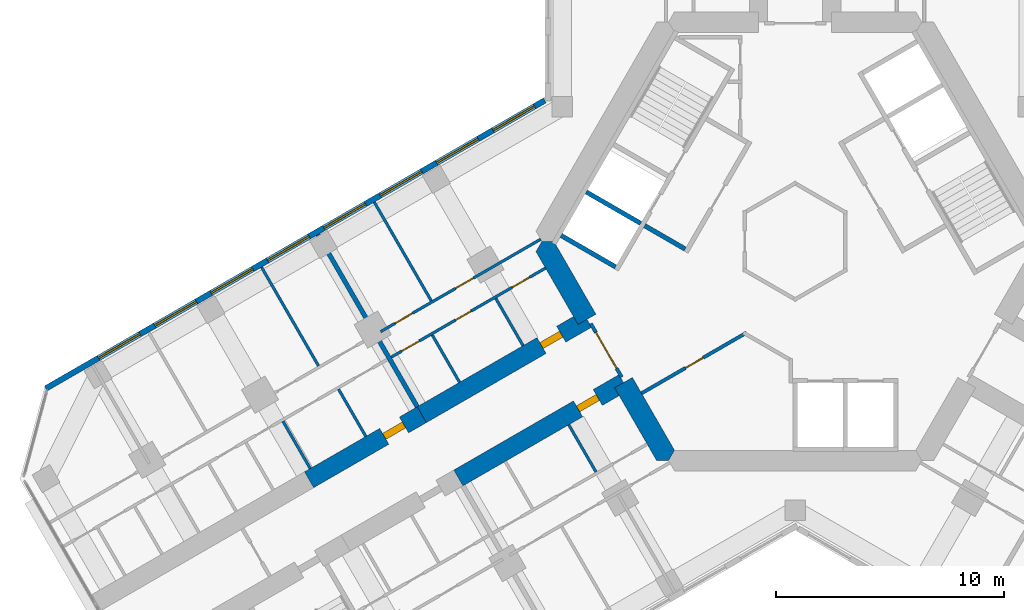
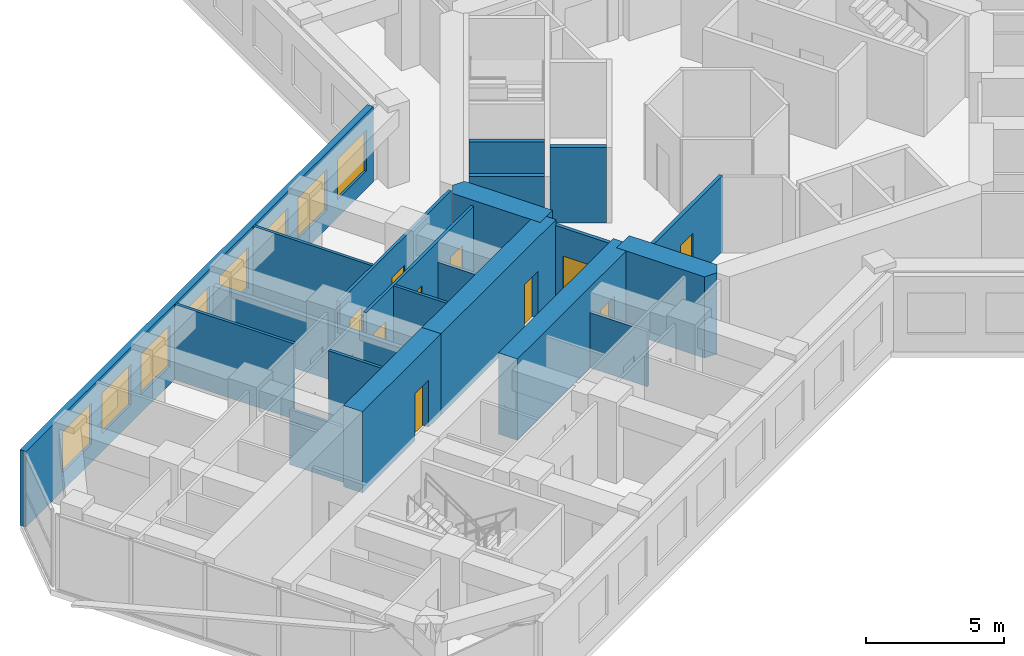
# One storey, part 12 of 19: 21 walls, 10 doors, 8 windows, 18 openings.
"""IFC4 building model written with IfcOpenShell, lengths in metres."""

from ifc_helpers import new_model, si_unit, direction, frame, frame_2d, origin, place, context, subcontext, project, spatial, polyline, rectangle, outline, extrude, material, layer, layer_set, type_object, element, fill, save


model = new_model("IFC4")

# Units and contexts
model_context = context("Model", 3, precision=1e-05, world=origin(), true_north=direction((0.0, 1.0)))
body_context = subcontext(model_context, "Body", "Model", "MODEL_VIEW")
ifc_project = project(units=[si_unit("LENGTHUNIT", "METRE"), si_unit("AREAUNIT", "SQUARE_METRE"), si_unit("VOLUMEUNIT", "CUBIC_METRE"), si_unit("PLANEANGLEUNIT", "RADIAN"), si_unit("MASSUNIT", "GRAM", prefix="KILO")], contexts=[model_context])

# Site, building, storey
site_placement = place(None, origin())
site = spatial("IfcSite", under=ifc_project, at=site_placement, CompositionType="ELEMENT")
building_placement = place(site_placement, origin())
building = spatial("IfcBuilding", under=site, at=building_placement, Name="Kosmar Iwan School Tower", CompositionType="ELEMENT")
storey_placement = place(building_placement, frame((0.0, 0.0, 161.60009765625)))
storey = spatial("IfcBuildingStorey", under=building, at=storey_placement, Name="L40", CompositionType="ELEMENT", Elevation=161.60009765625)

# Wall, opening, door
ifc_material_1 = material(Name="Gypsum board on steel studs, fire-rated", Category="steel")
ifc_layer_1 = layer(ifc_material_1, 0.14990234375)
ifc_layer_set_1 = layer_set([ifc_layer_1], Name="Core room partition 150")
wall_type_1 = type_object("IfcWallType", Name="Core room partition 150", PredefinedType="PARTITIONING", material=ifc_layer_set_1)
wall_1_placement = place(storey_placement, frame((-6.728515625, -6.656005859375, 0.0), z_axis=(0.0, 0.0, 1.0), x_axis=(0.866022320763, 0.500005339912, 0.0)))
wall_1 = element("IfcWall", 1, at=wall_1_placement, inside=storey, type_object=wall_type_1, Name="Core room partition L40-CW5", PredefinedType="PARTITIONING", context=body_context, shape_type="SweptSolid", body=[
    extrude(rectangle(XDim=5.30419921875, YDim=0.14990234375, at=frame_2d((2.652099609375, 0.0))), origin(), (0.0, 0.0, 1.0), 3.349853515625),
])
opening_1_placement = place(wall_1_placement, frame((2.221923828125, 0.0, 0.0)))
opening_1 = element("IfcOpeningElement", 2, at=opening_1_placement, cuts=wall_1, Name="Opening D14", PredefinedType="OPENING", context=body_context, shape_type="SweptSolid", body=[
    extrude(rectangle(XDim=0.89990234375, YDim=2.10009765625, at=frame_2d((0.449951171875, 1.050048828125))), frame((0.0, 0.0869140625, 0.0), z_axis=(0.0, -1.0, 0.0), x_axis=(1.0, 0.0, 0.0)), (0.0, 0.0, 1.0), 0.173828125),
])
ifc_material_2 = material(Name="Timber fire door in steel frame", Category="steel")
door_type_1 = type_object("IfcDoorType", Name="Core room door 900x2100", OperationType="SINGLE_SWING_LEFT", PredefinedType="DOOR", material=ifc_material_2)
door_1_placement = place(opening_1_placement, origin())
door_1 = element("IfcDoor", 3, at=door_1_placement, inside=storey, type_object=door_type_1, Name="Residents' pantry door L40 3", OperationType="SINGLE_SWING_LEFT", OverallHeight=2.10009765625, OverallWidth=0.89990234375, PredefinedType="DOOR", context=body_context, shape_type="SweptSolid", body=[
    extrude(rectangle(XDim=0.89990234375, YDim=2.10009765625, at=frame_2d((0.449951171875, 1.050048828125))), frame((0.0, 0.02490234375, 0.0), z_axis=(0.0, -1.0, 0.0), x_axis=(1.0, 0.0, 0.0)), (0.0, 0.0, 1.0), 0.050048828125),
])
fill(opening_1, door_1)

# Walls
ifc_material_3 = material(Name="Concrete C50/60", Category="concrete")
ifc_layer_2 = layer(ifc_material_3, 0.89990234375)
ifc_layer_set_2 = layer_set([ifc_layer_2], Name="Core wall 900")
wall_type_2 = type_object("IfcWallType", Name="Core wall 900", PredefinedType="SHEAR", material=ifc_layer_set_2)
wall_2_placement = place(storey_placement, origin())
element("IfcWall", 4, at=wall_2_placement, inside=storey, type_object=wall_type_2, Name="Core wall F210a", PredefinedType="SHEAR", context=body_context, shape_type="SweptSolid", body=[
    extrude(outline(polyline([(-9.503662109375, -3.639404296875), (-8.72412109375, -3.189453125), (-10.5654296875, 0.0), (-11.085205078125, 0.0), (-11.344970703125, -0.449951171875), (-9.503662109375, -3.639404296875)])), origin(), (0.0, 0.0, 1.0), 3.599853515625),
])
wall_3_placement = place(storey_placement, origin())
element("IfcWall", 5, at=wall_3_placement, inside=storey, type_object=wall_type_2, Name="Core wall F210b", PredefinedType="SHEAR", context=body_context, shape_type="SweptSolid", body=[
    extrude(outline(polyline([(-6.062255859375, -9.60009765625), (-5.54248046875, -9.60009765625), (-5.28271484375, -9.14990234375), (-7.1240234375, -5.960693359375), (-7.903564453125, -6.41064453125), (-6.062255859375, -9.60009765625)])), origin(), (0.0, 0.0, 1.0), 3.599853515625),
])

# Wall, opening, door
ifc_material_4 = material(Name="Concrete C50/60", Category="concrete")
ifc_layer_3 = layer(ifc_material_4, 0.800048828125)
ifc_layer_set_3 = layer_set([ifc_layer_3], Name="Corridor buttress wall 800")
wall_type_3 = type_object("IfcWallType", Name="Corridor buttress wall 800", PredefinedType="SHEAR", material=ifc_layer_set_3)
wall_4_placement = place(storey_placement, frame((-7.513916015625, -6.185546875, 0.0), z_axis=(0.0, 0.0, 1.0), x_axis=(-0.866019549707, -0.500010139422, 0.0)))
wall_4 = element("IfcWall", 6, at=wall_4_placement, inside=storey, type_object=wall_type_3, Name="Corridor wall BL", PredefinedType="SHEAR", context=body_context, shape_type="SweptSolid", body=[
    extrude(rectangle(XDim=8.349853515625, YDim=0.800048828125, at=frame_2d((4.1748046875, 0.0))), origin(), (0.0, 0.0, 1.0), 3.599853515625),
])
opening_2_placement = place(wall_4_placement, frame((1.300048828125, 0.0, 0.0)))
opening_2 = element("IfcOpeningElement", 7, at=opening_2_placement, cuts=wall_4, Name="Opening D1", PredefinedType="OPENING", context=body_context, shape_type="SweptSolid", body=[
    extrude(rectangle(XDim=1.0, YDim=2.10009765625, at=frame_2d((0.5, 1.050048828125))), frame((0.0, 0.412109375, 0.0), z_axis=(0.0, -1.0, 0.0), x_axis=(1.0, 0.0, 0.0)), (0.0, 0.0, 1.0), 0.823974609375),
])
ifc_material_5 = material(Name="Timber fire door in steel frame", Category="steel")
door_type_2 = type_object("IfcDoorType", Name="Flat entrance door 1000x2100", OperationType="SINGLE_SWING_LEFT", PredefinedType="DOOR", material=ifc_material_5)
door_2_placement = place(opening_2_placement, origin())
door_2 = element("IfcDoor", 8, at=door_2_placement, inside=storey, type_object=door_type_2, Name="Flat L40-BL1 entrance door", OperationType="SINGLE_SWING_RIGHT", OverallHeight=2.10009765625, OverallWidth=1.0, PredefinedType="DOOR", context=body_context, shape_type="SweptSolid", body=[
    extrude(rectangle(XDim=1.0, YDim=2.10009765625, at=frame_2d((0.5, 1.050048828125))), frame((0.0, 0.14990234375, 0.0), z_axis=(0.0, -1.0, 0.0), x_axis=(1.0, 0.0, 0.0)), (0.0, 0.0, 1.0), 0.300048828125),
])
fill(opening_2, door_2)

wall_5_placement = place(storey_placement, frame((-9.11376953125, -3.414306640625, 0.0), z_axis=(0.0, 0.0, 1.0), x_axis=(-0.866026859388, -0.499997478812, 0.0)))
wall_5 = element("IfcWall", 9, at=wall_5_placement, inside=storey, type_object=wall_type_3, Name="Corridor wall BR", PredefinedType="SHEAR", context=body_context, shape_type="SweptSolid", body=[
    extrude(rectangle(XDim=8.35009765625, YDim=0.800048828125, at=frame_2d((4.175048828125, 0.0))), origin(), (0.0, 0.0, 1.0), 3.599853515625),
])
opening_3_placement = place(wall_5_placement, frame((1.300048828125, 0.0, 0.0)))
opening_3 = element("IfcOpeningElement", 10, at=opening_3_placement, cuts=wall_5, Name="Opening D1", PredefinedType="OPENING", context=body_context, shape_type="SweptSolid", body=[
    extrude(rectangle(XDim=1.0, YDim=2.10009765625, at=frame_2d((0.5, 1.050048828125))), frame((0.0, 0.412109375, 0.0), z_axis=(0.0, -1.0, 0.0), x_axis=(1.0, 0.0, 0.0)), (0.0, 0.0, 1.0), 0.823974609375),
])
door_3_placement = place(opening_3_placement, origin())
door_3 = element("IfcDoor", 11, at=door_3_placement, inside=storey, type_object=door_type_2, Name="Flat L40-BR1 entrance door", OperationType="SINGLE_SWING_LEFT", OverallHeight=2.10009765625, OverallWidth=1.0, PredefinedType="DOOR", context=body_context, shape_type="SweptSolid", body=[
    extrude(rectangle(XDim=1.0, YDim=2.10009765625, at=frame_2d((0.5, 1.050048828125))), frame((0.0, 0.14990234375, 0.0), z_axis=(0.0, -1.0, 0.0), x_axis=(1.0, 0.0, 0.0)), (0.0, 0.0, 1.0), 0.300048828125),
])
fill(opening_3, door_3)

wall_6_placement = place(storey_placement, frame((-16.34521484375, -7.58935546875, 0.0), z_axis=(0.0, 0.0, 1.0), x_axis=(-0.866015111908, -0.50001782563, 0.0)))
wall_6 = element("IfcWall", 12, at=wall_6_placement, inside=storey, type_object=wall_type_3, Name="Corridor wall BR bay 2", PredefinedType="SHEAR", context=body_context, shape_type="SweptSolid", body=[
    extrude(rectangle(XDim=5.699951171875, YDim=0.800048828125, at=frame_2d((2.85009765625, 0.0))), origin(), (0.0, 0.0, 1.0), 3.599853515625),
])
opening_4_placement = place(wall_6_placement, frame((0.89990234375, 0.0, 0.0)))
opening_4 = element("IfcOpeningElement", 13, at=opening_4_placement, cuts=wall_6, Name="Opening D1", PredefinedType="OPENING", context=body_context, shape_type="SweptSolid", body=[
    extrude(rectangle(XDim=1.0, YDim=2.10009765625, at=frame_2d((0.5, 1.050048828125))), frame((0.0, 0.412109375, 0.0), z_axis=(0.0, -1.0, 0.0), x_axis=(1.0, 0.0, 0.0)), (0.0, 0.0, 1.0), 0.823974609375),
])
door_4_placement = place(opening_4_placement, origin())
door_4 = element("IfcDoor", 14, at=door_4_placement, inside=storey, type_object=door_type_2, Name="Flat L40-BR2 entrance door", OperationType="SINGLE_SWING_LEFT", OverallHeight=2.10009765625, OverallWidth=1.0, PredefinedType="DOOR", context=body_context, shape_type="SweptSolid", body=[
    extrude(rectangle(XDim=1.0, YDim=2.10009765625, at=frame_2d((0.5, 1.050048828125))), frame((0.0, 0.14990234375, 0.0), z_axis=(0.0, -1.0, 0.0), x_axis=(1.0, 0.0, 0.0)), (0.0, 0.0, 1.0), 0.300048828125),
])
fill(opening_4, door_4)

ifc_material_6 = material(Name="Steel framed glazed screen", Category="steel")
ifc_layer_4 = layer(ifc_material_6, 0.14990234375)
ifc_layer_set_4 = layer_set([ifc_layer_4], Name="Corridor screen wall 150")
wall_type_4 = type_object("IfcWallType", Name="Corridor screen wall 150", PredefinedType="PARTITIONING", material=ifc_layer_set_4)
wall_7_placement = place(storey_placement, frame((-8.945556640625, -3.60595703125, 0.0), z_axis=(0.0, 0.0, 1.0), x_axis=(0.500048589285, -0.86599734893, 0.0)))
wall_7 = element("IfcWall", 15, at=wall_7_placement, inside=storey, type_object=wall_type_4, Name="Corridor screen B L40", PredefinedType="PARTITIONING", context=body_context, shape_type="SweptSolid", body=[
    extrude(rectangle(XDim=2.699951171875, YDim=0.14990234375, at=frame_2d((1.35009765625, 0.0))), origin(), (0.0, 0.0, 1.0), 3.349853515625),
])
opening_5_placement = place(wall_7_placement, frame((0.449951171875, 0.0, 0.0)))
opening_5 = element("IfcOpeningElement", 16, at=opening_5_placement, cuts=wall_7, Name="Opening D9", PredefinedType="OPENING", context=body_context, shape_type="SweptSolid", body=[
    extrude(rectangle(XDim=1.800048828125, YDim=2.10009765625, at=frame_2d((0.89990234375, 1.050048828125))), frame((0.0, 0.0869140625, 0.0), z_axis=(0.0, -1.0, 0.0), x_axis=(1.0, 0.0, 0.0)), (0.0, 0.0, 1.0), 0.173828125),
])
ifc_material_7 = material(Name="Steel framed glazed smoke door", Category="steel")
door_type_3 = type_object("IfcDoorType", Name="Corridor smoke door pair 1800x2100", OperationType="DOUBLE_DOOR_DOUBLE_SWING", PredefinedType="DOOR", material=ifc_material_7)
door_5_placement = place(opening_5_placement, origin())
door_5 = element("IfcDoor", 17, at=door_5_placement, inside=storey, type_object=door_type_3, Name="Corridor doors B L40", OperationType="DOUBLE_DOOR_DOUBLE_SWING", OverallHeight=2.10009765625, OverallWidth=1.800048828125, PredefinedType="DOOR", context=body_context, shape_type="SweptSolid", body=[
    extrude(rectangle(XDim=1.800048828125, YDim=2.10009765625, at=frame_2d((0.89990234375, 1.050048828125))), frame((0.0, 0.02490234375, 0.0), z_axis=(0.0, -1.0, 0.0), x_axis=(1.0, 0.0, 0.0)), (0.0, 0.0, 1.0), 0.050048828125),
])
fill(opening_5, door_5)

# Wall
ifc_material_8 = material(Name="Gypsum board on steel studs", Category="steel")
ifc_layer_5 = layer(ifc_material_8, 0.1201171875)
ifc_layer_set_5 = layer_set([ifc_layer_5], Name="Dwelling partition 120")
wall_type_5 = type_object("IfcWallType", Name="Dwelling partition 120", PredefinedType="PARTITIONING", material=ifc_layer_set_5)
wall_8_placement = place(storey_placement, frame((-9.911865234375, -8.031982421875, 0.0), z_axis=(0.0, 0.0, 1.0), x_axis=(0.500017192868, -0.86601547725, 0.0)))
element("IfcWall", 18, at=wall_8_placement, inside=storey, type_object=wall_type_5, Name="Partition L40-BL1-Y1", PredefinedType="PARTITIONING", context=body_context, shape_type="SweptSolid", body=[
    extrude(rectangle(XDim=2.39013671875, YDim=0.1201171875, at=frame_2d((1.195068359375, 0.0))), origin(), (0.0, 0.0, 1.0), 2.449951171875),
])

# Wall, openings, doors
wall_9_placement = place(storey_placement, frame((-10.928466796875, -1.171142578125, 0.0), z_axis=(0.0, 0.0, 1.0), x_axis=(-0.866021400173, -0.500006934395, 0.0)))
wall_9 = element("IfcWall", 19, at=wall_9_placement, inside=storey, type_object=wall_type_5, Name="Partition L40-BR1-W1", PredefinedType="PARTITIONING", context=body_context, shape_type="SweptSolid", body=[
    extrude(rectangle(XDim=7.80029296875, YDim=0.1201171875, at=frame_2d((3.900146484375, 0.0))), origin(), (0.0, 0.0, 1.0), 3.349853515625),
])
opening_6_placement = place(wall_9_placement, frame((0.800048828125, 0.0, 0.0)))
opening_6 = element("IfcOpeningElement", 20, at=opening_6_placement, cuts=wall_9, Name="Opening D2", PredefinedType="OPENING", context=body_context, shape_type="SweptSolid", body=[
    extrude(rectangle(XDim=0.89990234375, YDim=2.10009765625, at=frame_2d((0.449951171875, 1.050048828125))), frame((0.0, 0.072021484375, 0.0), z_axis=(0.0, -1.0, 0.0), x_axis=(1.0, 0.0, 0.0)), (0.0, 0.0, 1.0), 0.14404296875),
])
opening_7_placement = place(wall_9_placement, frame((3.755126953125, 0.0, 0.0)))
opening_7 = element("IfcOpeningElement", 21, at=opening_7_placement, cuts=wall_9, Name="Opening D3", PredefinedType="OPENING", context=body_context, shape_type="SweptSolid", body=[
    extrude(rectangle(XDim=0.800048828125, YDim=2.10009765625, at=frame_2d((0.39990234375, 1.050048828125))), frame((0.0, 0.072021484375, 0.0), z_axis=(0.0, -1.0, 0.0), x_axis=(1.0, 0.0, 0.0)), (0.0, 0.0, 1.0), 0.14404296875),
])
opening_8_placement = place(wall_9_placement, frame((6.380126953125, 0.0, 0.0)))
opening_8 = element("IfcOpeningElement", 22, at=opening_8_placement, cuts=wall_9, Name="Opening D2", PredefinedType="OPENING", context=body_context, shape_type="SweptSolid", body=[
    extrude(rectangle(XDim=0.89990234375, YDim=2.10009765625, at=frame_2d((0.449951171875, 1.050048828125))), frame((0.0, 0.072021484375, 0.0), z_axis=(0.0, -1.0, 0.0), x_axis=(1.0, 0.0, 0.0)), (0.0, 0.0, 1.0), 0.14404296875),
])
ifc_material_9 = material(Name="Timber door in timber frame", Category="wood")
door_type_4 = type_object("IfcDoorType", Name="Internal door 900x2100", OperationType="SINGLE_SWING_LEFT", PredefinedType="DOOR", material=ifc_material_9)
door_6_placement = place(opening_6_placement, origin())
door_6 = element("IfcDoor", 23, at=door_6_placement, inside=storey, type_object=door_type_4, Name="Entrance hall door L40-BR1-S1", OperationType="SINGLE_SWING_RIGHT", OverallHeight=2.10009765625, OverallWidth=0.89990234375, PredefinedType="DOOR", context=body_context, shape_type="SweptSolid", body=[
    extrude(rectangle(XDim=0.89990234375, YDim=2.10009765625, at=frame_2d((0.449951171875, 1.050048828125))), frame((0.0, 0.02490234375, 0.0), z_axis=(0.0, -1.0, 0.0), x_axis=(1.0, 0.0, 0.0)), (0.0, 0.0, 1.0), 0.050048828125),
])
fill(opening_6, door_6)
door_7_placement = place(opening_8_placement, origin())
door_7 = element("IfcDoor", 24, at=door_7_placement, inside=storey, type_object=door_type_4, Name="Pantry door L40-BR1-S3", OperationType="SINGLE_SWING_RIGHT", OverallHeight=2.10009765625, OverallWidth=0.89990234375, PredefinedType="DOOR", context=body_context, shape_type="SweptSolid", body=[
    extrude(rectangle(XDim=0.89990234375, YDim=2.10009765625, at=frame_2d((0.449951171875, 1.050048828125))), frame((0.0, 0.02490234375, 0.0), z_axis=(0.0, -1.0, 0.0), x_axis=(1.0, 0.0, 0.0)), (0.0, 0.0, 1.0), 0.050048828125),
])
fill(opening_8, door_7)
ifc_material_10 = material(Name="Timber door in timber frame", Category="wood")
door_type_5 = type_object("IfcDoorType", Name="Sanitary room door 800x2100", OperationType="SINGLE_SWING_LEFT", PredefinedType="DOOR", material=ifc_material_10)
door_8_placement = place(opening_7_placement, origin())
door_8 = element("IfcDoor", 25, at=door_8_placement, inside=storey, type_object=door_type_5, Name="Bathroom door L40-BR1-S2", OperationType="SINGLE_SWING_LEFT", OverallHeight=2.10009765625, OverallWidth=0.800048828125, PredefinedType="DOOR", context=body_context, shape_type="SweptSolid", body=[
    extrude(rectangle(XDim=0.800048828125, YDim=2.10009765625, at=frame_2d((0.39990234375, 1.050048828125))), frame((0.0, 0.02490234375, 0.0), z_axis=(0.0, -1.0, 0.0), x_axis=(1.0, 0.0, 0.0)), (0.0, 0.0, 1.0), 0.050048828125),
])
fill(opening_7, door_8)

wall_10_placement = place(storey_placement, frame((-11.138916015625, 0.093017578125, 0.0), z_axis=(0.0, 0.0, 1.0), x_axis=(-0.866017937352, -0.500012932018, 0.0)))
wall_10 = element("IfcWall", 26, at=wall_10_placement, inside=storey, type_object=wall_type_5, Name="Partition L40-BR1-W2", PredefinedType="PARTITIONING", context=body_context, shape_type="SweptSolid", body=[
    extrude(rectangle(XDim=8.099853515625, YDim=0.1201171875, at=frame_2d((4.0498046875, 0.0))), origin(), (0.0, 0.0, 1.0), 3.349853515625),
])
opening_9_placement = place(wall_10_placement, frame((3.39990234375, 0.0, 0.0)))
opening_9 = element("IfcOpeningElement", 27, at=opening_9_placement, cuts=wall_10, Name="Opening D2", PredefinedType="OPENING", context=body_context, shape_type="SweptSolid", body=[
    extrude(rectangle(XDim=0.89990234375, YDim=2.10009765625, at=frame_2d((0.449951171875, 1.050048828125))), frame((0.0, 0.072021484375, 0.0), z_axis=(0.0, -1.0, 0.0), x_axis=(1.0, 0.0, 0.0)), (0.0, 0.0, 1.0), 0.14404296875),
])
opening_10_placement = place(wall_10_placement, frame((6.47509765625, 0.0, 0.0)))
opening_10 = element("IfcOpeningElement", 28, at=opening_10_placement, cuts=wall_10, Name="Opening D2", PredefinedType="OPENING", context=body_context, shape_type="SweptSolid", body=[
    extrude(rectangle(XDim=0.89990234375, YDim=2.10009765625, at=frame_2d((0.449951171875, 1.050048828125))), frame((0.0, 0.072021484375, 0.0), z_axis=(0.0, -1.0, 0.0), x_axis=(1.0, 0.0, 0.0)), (0.0, 0.0, 1.0), 0.14404296875),
])
door_9_placement = place(opening_9_placement, origin())
door_9 = element("IfcDoor", 29, at=door_9_placement, inside=storey, type_object=door_type_4, Name="Living room and kitchen door L40-BR1-F1", OperationType="SINGLE_SWING_LEFT", OverallHeight=2.10009765625, OverallWidth=0.89990234375, PredefinedType="DOOR", context=body_context, shape_type="SweptSolid", body=[
    extrude(rectangle(XDim=0.89990234375, YDim=2.10009765625, at=frame_2d((0.449951171875, 1.050048828125))), frame((0.0, 0.02490234375, 0.0), z_axis=(0.0, -1.0, 0.0), x_axis=(1.0, 0.0, 0.0)), (0.0, 0.0, 1.0), 0.050048828125),
])
fill(opening_9, door_9)
door_10_placement = place(opening_10_placement, origin())
door_10 = element("IfcDoor", 30, at=door_10_placement, inside=storey, type_object=door_type_4, Name="Bedroom 1 door L40-BR1-F2", OperationType="SINGLE_SWING_RIGHT", OverallHeight=2.10009765625, OverallWidth=0.89990234375, PredefinedType="DOOR", context=body_context, shape_type="SweptSolid", body=[
    extrude(rectangle(XDim=0.89990234375, YDim=2.10009765625, at=frame_2d((0.449951171875, 1.050048828125))), frame((0.0, 0.02490234375, 0.0), z_axis=(0.0, -1.0, 0.0), x_axis=(1.0, 0.0, 0.0)), (0.0, 0.0, 1.0), 0.050048828125),
])
fill(opening_10, door_10)

# Walls
wall_11_placement = place(storey_placement, frame((-15.931884765625, -2.60498046875, 0.0), z_axis=(0.0, 0.0, 1.0), x_axis=(-0.500011847778, 0.866018563358, 0.0)))
element("IfcWall", 31, at=wall_11_placement, inside=storey, type_object=wall_type_5, Name="Partition L40-BR1-X1", PredefinedType="PARTITIONING", context=body_context, shape_type="SweptSolid", body=[
    extrude(rectangle(XDim=4.990234375, YDim=0.1201171875, at=frame_2d((2.4951171875, 0.0))), origin(), (0.0, 0.0, 1.0), 3.349853515625),
])
wall_12_placement = place(storey_placement, frame((-11.911865234375, -4.56787109375, 0.0), z_axis=(0.0, 0.0, 1.0), x_axis=(-0.500017192868, 0.86601547725, 0.0)))
element("IfcWall", 32, at=wall_12_placement, inside=storey, type_object=wall_type_5, Name="Partition L40-BR1-Y1", PredefinedType="PARTITIONING", context=body_context, shape_type="SweptSolid", body=[
    extrude(rectangle(XDim=2.39013671875, YDim=0.1201171875, at=frame_2d((1.195068359375, 0.0))), origin(), (0.0, 0.0, 1.0), 2.449951171875),
])
wall_13_placement = place(storey_placement, frame((-14.69189453125, -6.1728515625, 0.0), z_axis=(0.0, 0.0, 1.0), x_axis=(-0.500017192868, 0.86601547725, 0.0)))
element("IfcWall", 33, at=wall_13_placement, inside=storey, type_object=wall_type_5, Name="Partition L40-BR1-Y2", PredefinedType="PARTITIONING", context=body_context, shape_type="SweptSolid", body=[
    extrude(rectangle(XDim=2.39013671875, YDim=0.1201171875, at=frame_2d((1.195068359375, 0.0))), origin(), (0.0, 0.0, 1.0), 3.349853515625),
])
wall_14_placement = place(storey_placement, frame((-20.868408203125, -5.455078125, 0.0), z_axis=(0.0, 0.0, 1.0), x_axis=(-0.499975153383, 0.86603974851, 0.0)))
element("IfcWall", 34, at=wall_14_placement, inside=storey, type_object=wall_type_5, Name="Partition L40-BR2-X1", PredefinedType="PARTITIONING", context=body_context, shape_type="SweptSolid", body=[
    extrude(rectangle(XDim=4.989990234375, YDim=0.1201171875, at=frame_2d((2.4951171875, 0.0))), origin(), (0.0, 0.0, 1.0), 3.349853515625),
])
wall_15_placement = place(storey_placement, frame((-18.796875, -8.54296875, 0.0), z_axis=(0.0, 0.0, 1.0), x_axis=(-0.500017192868, 0.86601547725, 0.0)))
element("IfcWall", 35, at=wall_15_placement, inside=storey, type_object=wall_type_5, Name="Partition L40-BR2-Y1", PredefinedType="PARTITIONING", context=body_context, shape_type="SweptSolid", body=[
    extrude(rectangle(XDim=2.39013671875, YDim=0.1201171875, at=frame_2d((1.195068359375, 0.0))), origin(), (0.0, 0.0, 1.0), 3.349853515625),
])
wall_16_placement = place(storey_placement, frame((-21.23046875, -9.947998046875, 0.0), z_axis=(0.0, 0.0, 1.0), x_axis=(-0.499940577336, 0.866059708757, 0.0)))
element("IfcWall", 36, at=wall_16_placement, inside=storey, type_object=wall_type_5, Name="Partition L40-BR2-Y2", PredefinedType="PARTITIONING", context=body_context, shape_type="SweptSolid", body=[
    extrude(rectangle(XDim=2.389892578125, YDim=0.1201171875, at=frame_2d((1.19482421875, 0.0))), origin(), (0.0, 0.0, 1.0), 2.449951171875),
])

# Wall, openings, windows
ifc_material_11 = material(Name="Black aluminium rainscreen on insulated framing", Category="aluminium")
ifc_layer_6 = layer(ifc_material_11, 0.25)
ifc_layer_set_6 = layer_set([ifc_layer_6], Name="External wall rainscreen 250")
wall_type_6 = type_object("IfcWallType", Name="External wall rainscreen 250", PredefinedType="SOLIDWALL", material=ifc_layer_set_6)
wall_17_placement = place(storey_placement, frame((-10.962890625, 6.170166015625, 0.0), z_axis=(0.0, 0.0, 1.0), x_axis=(-0.86602796634, -0.499995561497, 0.0)))
wall_17 = element("IfcWall", 37, at=wall_17_placement, inside=storey, type_object=wall_type_6, Name="External wall BR L40", PredefinedType="SOLIDWALL", context=body_context, shape_type="SweptSolid", body=[
    extrude(rectangle(XDim=25.226318359375, YDim=0.25, at=frame_2d((12.61328125, 0.0))), origin(), (0.0, 0.0, 1.0), 3.349853515625),
])
opening_11_placement = place(wall_17_placement, frame((0.51611328125, 0.0, 0.800048828125)))
opening_11 = element("IfcOpeningElement", 38, at=opening_11_placement, cuts=wall_17, Name="Opening W4", PredefinedType="OPENING", context=body_context, shape_type="SweptSolid", body=[
    extrude(rectangle(XDim=2.10009765625, YDim=1.800048828125, at=frame_2d((1.050048828125, 0.89990234375))), frame((0.0, 0.136962890625, 0.0), z_axis=(0.0, -1.0, 0.0), x_axis=(1.0, 0.0, 0.0)), (0.0, 0.0, 1.0), 0.27392578125),
])
opening_12_placement = place(wall_17_placement, frame((3.365966796875, 0.0, 0.800048828125)))
opening_12 = element("IfcOpeningElement", 39, at=opening_12_placement, cuts=wall_17, Name="Opening W4", PredefinedType="OPENING", context=body_context, shape_type="SweptSolid", body=[
    extrude(rectangle(XDim=2.10009765625, YDim=1.800048828125, at=frame_2d((1.050048828125, 0.89990234375))), frame((0.0, 0.136962890625, 0.0), z_axis=(0.0, -1.0, 0.0), x_axis=(1.0, 0.0, 0.0)), (0.0, 0.0, 1.0), 0.27392578125),
])
opening_13_placement = place(wall_17_placement, frame((6.216064453125, 0.0, 0.800048828125)))
opening_13 = element("IfcOpeningElement", 40, at=opening_13_placement, cuts=wall_17, Name="Opening W4", PredefinedType="OPENING", context=body_context, shape_type="SweptSolid", body=[
    extrude(rectangle(XDim=2.10009765625, YDim=1.800048828125, at=frame_2d((1.050048828125, 0.89990234375))), frame((0.0, 0.136962890625, 0.0), z_axis=(0.0, -1.0, 0.0), x_axis=(1.0, 0.0, 0.0)), (0.0, 0.0, 1.0), 0.27392578125),
])
opening_14_placement = place(wall_17_placement, frame((9.06591796875, 0.0, 0.800048828125)))
opening_14 = element("IfcOpeningElement", 41, at=opening_14_placement, cuts=wall_17, Name="Opening W4", PredefinedType="OPENING", context=body_context, shape_type="SweptSolid", body=[
    extrude(rectangle(XDim=2.10009765625, YDim=1.800048828125, at=frame_2d((1.050048828125, 0.89990234375))), frame((0.0, 0.136962890625, 0.0), z_axis=(0.0, -1.0, 0.0), x_axis=(1.0, 0.0, 0.0)), (0.0, 0.0, 1.0), 0.27392578125),
])
opening_15_placement = place(wall_17_placement, frame((11.916015625, 0.0, 0.800048828125)))
opening_15 = element("IfcOpeningElement", 42, at=opening_15_placement, cuts=wall_17, Name="Opening W4", PredefinedType="OPENING", context=body_context, shape_type="SweptSolid", body=[
    extrude(rectangle(XDim=2.10009765625, YDim=1.800048828125, at=frame_2d((1.050048828125, 0.89990234375))), frame((0.0, 0.136962890625, 0.0), z_axis=(0.0, -1.0, 0.0), x_axis=(1.0, 0.0, 0.0)), (0.0, 0.0, 1.0), 0.27392578125),
])
opening_16_placement = place(wall_17_placement, frame((14.76611328125, 0.0, 0.800048828125)))
opening_16 = element("IfcOpeningElement", 43, at=opening_16_placement, cuts=wall_17, Name="Opening W4", PredefinedType="OPENING", context=body_context, shape_type="SweptSolid", body=[
    extrude(rectangle(XDim=2.10009765625, YDim=1.800048828125, at=frame_2d((1.050048828125, 0.89990234375))), frame((0.0, 0.136962890625, 0.0), z_axis=(0.0, -1.0, 0.0), x_axis=(1.0, 0.0, 0.0)), (0.0, 0.0, 1.0), 0.27392578125),
])
opening_17_placement = place(wall_17_placement, frame((17.615966796875, 0.0, 0.800048828125)))
opening_17 = element("IfcOpeningElement", 44, at=opening_17_placement, cuts=wall_17, Name="Opening W4", PredefinedType="OPENING", context=body_context, shape_type="SweptSolid", body=[
    extrude(rectangle(XDim=2.10009765625, YDim=1.800048828125, at=frame_2d((1.050048828125, 0.89990234375))), frame((0.0, 0.136962890625, 0.0), z_axis=(0.0, -1.0, 0.0), x_axis=(1.0, 0.0, 0.0)), (0.0, 0.0, 1.0), 0.27392578125),
])
opening_18_placement = place(wall_17_placement, frame((20.466064453125, 0.0, 0.800048828125)))
opening_18 = element("IfcOpeningElement", 45, at=opening_18_placement, cuts=wall_17, Name="Opening W4", PredefinedType="OPENING", context=body_context, shape_type="SweptSolid", body=[
    extrude(rectangle(XDim=2.10009765625, YDim=1.800048828125, at=frame_2d((1.050048828125, 0.89990234375))), frame((0.0, 0.136962890625, 0.0), z_axis=(0.0, -1.0, 0.0), x_axis=(1.0, 0.0, 0.0)), (0.0, 0.0, 1.0), 0.27392578125),
])
ifc_material_12 = material(Name="Black aluminium frame with dark triple glazing", Category="aluminium")
window_type = type_object("IfcWindowType", Name="Window 2100x1800", PartitioningType="SINGLE_PANEL", PredefinedType="WINDOW", material=ifc_material_12)
window_1_placement = place(opening_11_placement, origin())
window_1 = element("IfcWindow", 46, at=window_1_placement, inside=storey, type_object=window_type, Name="Window BR L40 -1", OverallHeight=1.800048828125, OverallWidth=2.10009765625, PartitioningType="SINGLE_PANEL", PredefinedType="WINDOW", context=body_context, shape_type="SweptSolid", body=[
    extrude(rectangle(XDim=2.10009765625, YDim=1.800048828125, at=frame_2d((1.050048828125, 0.89990234375))), frame((0.0, 0.030029296875, 0.0), z_axis=(0.0, -1.0, 0.0), x_axis=(1.0, 0.0, 0.0)), (0.0, 0.0, 1.0), 0.06005859375),
])
fill(opening_11, window_1)
window_2_placement = place(opening_12_placement, origin())
window_2 = element("IfcWindow", 47, at=window_2_placement, inside=storey, type_object=window_type, Name="Window BR L40 0", OverallHeight=1.800048828125, OverallWidth=2.10009765625, PartitioningType="SINGLE_PANEL", PredefinedType="WINDOW", context=body_context, shape_type="SweptSolid", body=[
    extrude(rectangle(XDim=2.10009765625, YDim=1.800048828125, at=frame_2d((1.050048828125, 0.89990234375))), frame((0.0, 0.030029296875, 0.0), z_axis=(0.0, -1.0, 0.0), x_axis=(1.0, 0.0, 0.0)), (0.0, 0.0, 1.0), 0.06005859375),
])
fill(opening_12, window_2)
window_3_placement = place(opening_13_placement, origin())
window_3 = element("IfcWindow", 48, at=window_3_placement, inside=storey, type_object=window_type, Name="Window BR L40 1", OverallHeight=1.800048828125, OverallWidth=2.10009765625, PartitioningType="SINGLE_PANEL", PredefinedType="WINDOW", context=body_context, shape_type="SweptSolid", body=[
    extrude(rectangle(XDim=2.10009765625, YDim=1.800048828125, at=frame_2d((1.050048828125, 0.89990234375))), frame((0.0, 0.030029296875, 0.0), z_axis=(0.0, -1.0, 0.0), x_axis=(1.0, 0.0, 0.0)), (0.0, 0.0, 1.0), 0.06005859375),
])
fill(opening_13, window_3)
window_4_placement = place(opening_14_placement, origin())
window_4 = element("IfcWindow", 49, at=window_4_placement, inside=storey, type_object=window_type, Name="Window BR L40 2", OverallHeight=1.800048828125, OverallWidth=2.10009765625, PartitioningType="SINGLE_PANEL", PredefinedType="WINDOW", context=body_context, shape_type="SweptSolid", body=[
    extrude(rectangle(XDim=2.10009765625, YDim=1.800048828125, at=frame_2d((1.050048828125, 0.89990234375))), frame((0.0, 0.030029296875, 0.0), z_axis=(0.0, -1.0, 0.0), x_axis=(1.0, 0.0, 0.0)), (0.0, 0.0, 1.0), 0.06005859375),
])
fill(opening_14, window_4)
window_5_placement = place(opening_15_placement, origin())
window_5 = element("IfcWindow", 50, at=window_5_placement, inside=storey, type_object=window_type, Name="Window BR L40 3", OverallHeight=1.800048828125, OverallWidth=2.10009765625, PartitioningType="SINGLE_PANEL", PredefinedType="WINDOW", context=body_context, shape_type="SweptSolid", body=[
    extrude(rectangle(XDim=2.10009765625, YDim=1.800048828125, at=frame_2d((1.050048828125, 0.89990234375))), frame((0.0, 0.030029296875, 0.0), z_axis=(0.0, -1.0, 0.0), x_axis=(1.0, 0.0, 0.0)), (0.0, 0.0, 1.0), 0.06005859375),
])
fill(opening_15, window_5)
window_6_placement = place(opening_16_placement, origin())
window_6 = element("IfcWindow", 51, at=window_6_placement, inside=storey, type_object=window_type, Name="Window BR L40 4", OverallHeight=1.800048828125, OverallWidth=2.10009765625, PartitioningType="SINGLE_PANEL", PredefinedType="WINDOW", context=body_context, shape_type="SweptSolid", body=[
    extrude(rectangle(XDim=2.10009765625, YDim=1.800048828125, at=frame_2d((1.050048828125, 0.89990234375))), frame((0.0, 0.030029296875, 0.0), z_axis=(0.0, -1.0, 0.0), x_axis=(1.0, 0.0, 0.0)), (0.0, 0.0, 1.0), 0.06005859375),
])
fill(opening_16, window_6)
window_7_placement = place(opening_17_placement, origin())
window_7 = element("IfcWindow", 52, at=window_7_placement, inside=storey, type_object=window_type, Name="Window BR L40 5", OverallHeight=1.800048828125, OverallWidth=2.10009765625, PartitioningType="SINGLE_PANEL", PredefinedType="WINDOW", context=body_context, shape_type="SweptSolid", body=[
    extrude(rectangle(XDim=2.10009765625, YDim=1.800048828125, at=frame_2d((1.050048828125, 0.89990234375))), frame((0.0, 0.030029296875, 0.0), z_axis=(0.0, -1.0, 0.0), x_axis=(1.0, 0.0, 0.0)), (0.0, 0.0, 1.0), 0.06005859375),
])
fill(opening_17, window_7)
window_8_placement = place(opening_18_placement, origin())
window_8 = element("IfcWindow", 53, at=window_8_placement, inside=storey, type_object=window_type, Name="Window BR L40 6", OverallHeight=1.800048828125, OverallWidth=2.10009765625, PartitioningType="SINGLE_PANEL", PredefinedType="WINDOW", context=body_context, shape_type="SweptSolid", body=[
    extrude(rectangle(XDim=2.10009765625, YDim=1.800048828125, at=frame_2d((1.050048828125, 0.89990234375))), frame((0.0, 0.030029296875, 0.0), z_axis=(0.0, -1.0, 0.0), x_axis=(1.0, 0.0, 0.0)), (0.0, 0.0, 1.0), 0.06005859375),
])
fill(opening_18, window_8)

# Walls
ifc_material_13 = material(Name="Concrete block masonry", Category="masonry")
ifc_layer_7 = layer(ifc_material_13, 0.199951171875)
ifc_layer_set_7 = layer_set([ifc_layer_7], Name="Fire lobby wall 200")
wall_type_7 = type_object("IfcWallType", Name="Fire lobby wall 200", PredefinedType="PARTITIONING", material=ifc_layer_set_7)
wall_18_placement = place(storey_placement, frame((-4.814208984375, -0.33837890625, 0.0), z_axis=(0.0, 0.0, 1.0), x_axis=(-0.865969381856, 0.500097020274, 0.0)))
element("IfcWall", 54, at=wall_18_placement, inside=storey, type_object=wall_type_7, Name="Firefighting lobby wall ST2", PredefinedType="PARTITIONING", context=body_context, shape_type="SweptSolid", body=[
    extrude(rectangle(XDim=2.0498046875, YDim=0.199951171875, at=frame_2d((1.02490234375, 0.0))), origin(), (0.0, 0.0, 1.0), 3.349853515625),
])
ifc_material_14 = material(Name="Concrete C50/60", Category="concrete")
ifc_layer_8 = layer(ifc_material_14, 0.199951171875)
ifc_layer_set_8 = layer_set([ifc_layer_8], Name="Lift shaft wall 200")
wall_type_8 = type_object("IfcWallType", Name="Lift shaft wall 200", PredefinedType="SHEAR", material=ifc_layer_set_8)
for number, where, z_axis, x_axis, name in (
    (55, (-6.7626953125, 0.78662109375, 0.0), (0.0, 0.0, 1.0), (-0.866027397988, 0.499996545922, 0.0), "Lift shaft wall AB 1"),
    (56, (-7.862548828125, -1.118408203125, 0.0), (0.0, 0.0, 1.0), (-0.866027397988, 0.499996545922, 0.0), "Lift shaft wall AB 2"),
):
    element("IfcWall", number, at=place(storey_placement, frame(where, z_axis=z_axis, x_axis=x_axis)), inside=storey, type_object=wall_type_8, Name=name, PredefinedType="SHEAR", context=body_context, shape_type="SweptSolid", body=[
        extrude(rectangle(XDim=2.75, YDim=0.199951171875, at=frame_2d((1.375, 0.0))), origin(), (0.0, 0.0, 1.0), 3.599853515625),
    ])
ifc_material_15 = material(Name="Concrete block masonry", Category="masonry")
ifc_layer_9 = layer(ifc_material_15, 0.199951171875)
ifc_layer_set_9 = layer_set([ifc_layer_9], Name="Party wall 200")
wall_type_9 = type_object("IfcWallType", Name="Party wall 200", PredefinedType="PARTITIONING", material=ifc_layer_set_9)
wall_19_placement = place(storey_placement, frame((-16.545166015625, -7.242919921875, 0.0), z_axis=(0.0, 0.0, 1.0), x_axis=(-0.500008278454, 0.866020624164, 0.0)))
element("IfcWall", 57, at=wall_19_placement, inside=storey, type_object=wall_type_9, Name="Partition L40-BR2-PW", PredefinedType="PARTITIONING", context=body_context, shape_type="SweptSolid", body=[
    extrude(rectangle(XDim=8.699951171875, YDim=0.199951171875, at=frame_2d((4.35009765625, 0.0))), origin(), (0.0, 0.0, 1.0), 2.449951171875),
])

save(model, "model.ifc")
